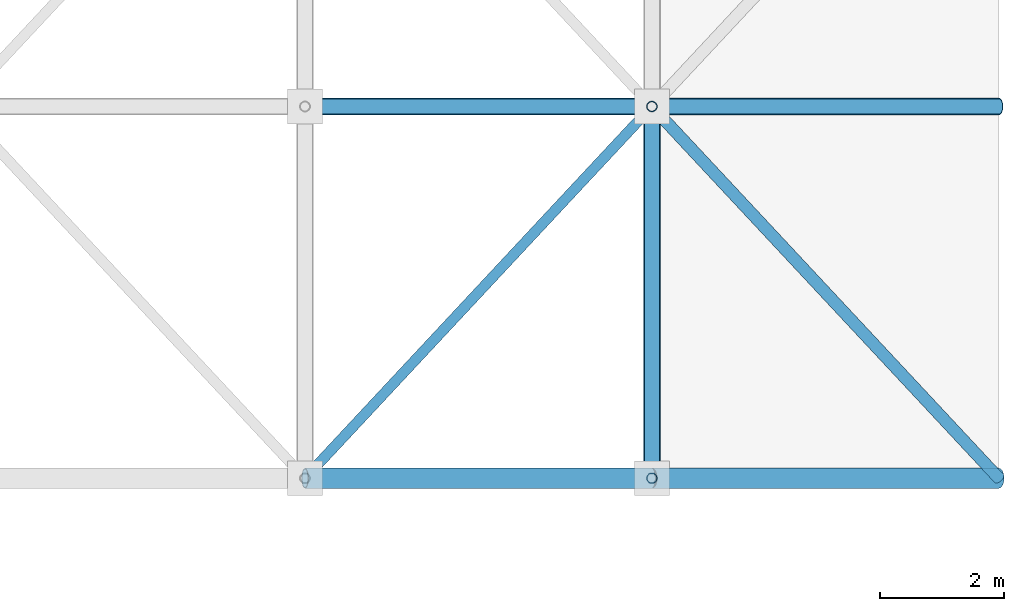
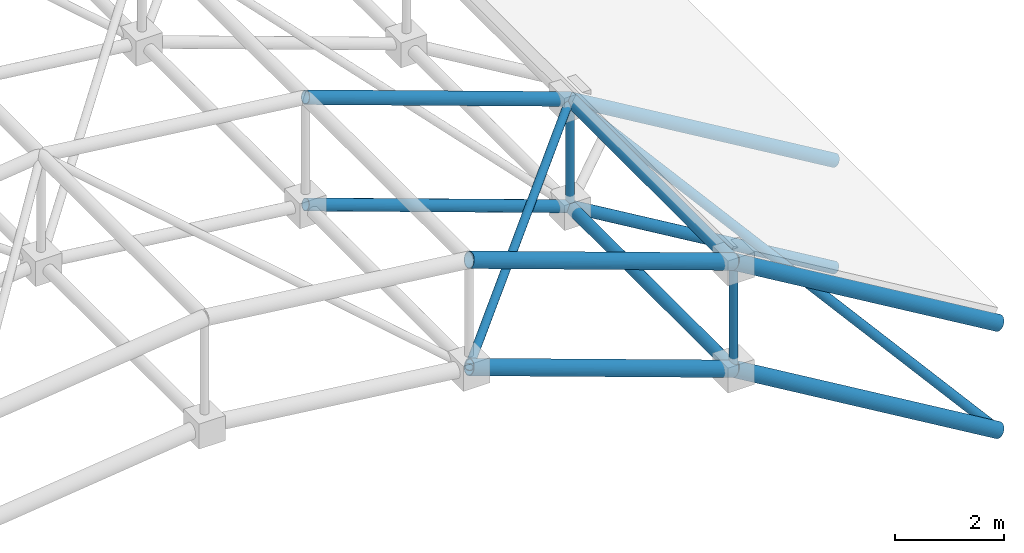
# One storey, part 86 of 140: 14 members.
"""IFC4 building model written with IfcOpenShell, lengths in metres."""

import ifcopenshell
import ifcopenshell.guid

model = None  # the IFC model being written
_history = None  # IfcOwnerHistory: only IFC2X3 demands one
_inside = {}  # id of a spatial element -> (the spatial element, [elements in it])
_under = {}  # id of a project, library or spatial element -> (it, [spatial elements below it])
_declared = {}  # id of a project -> (the project, [libraries it declares])
_typed = {}  # id of a type object -> (the type object, [elements of that type])
_made_of = {}  # id of a material, layer set ... -> (it, [elements and type objects made of it])


def new_model(schema):
    """Start an empty IFC model of exactly this schema.

    Asked for "IFC4X3", IfcOpenShell would pick the latest addendum, in which some entities
    have other attributes; the version numbers below select the first issue.
    IFC2X3 requires an IfcOwnerHistory on every rooted entity: one is made here for all.
    """
    global model, _history
    if schema == "IFC4X3":
        model = ifcopenshell.file(schema_version=(4, 3, 0, 0))
    else:
        model = ifcopenshell.file(schema=schema)
    _inside.clear()
    _under.clear()
    _declared.clear()
    _typed.clear()
    _made_of.clear()
    _history = None
    if model.schema == "IFC2X3":
        org = make("IfcOrganization", Name="unknown")
        user = make(
            "IfcPersonAndOrganization",
            ThePerson=make("IfcPerson", FamilyName="unknown"),
            TheOrganization=org,
        )
        app = make(
            "IfcApplication",
            ApplicationDeveloper=org,
            Version="unknown",
            ApplicationFullName="unknown",
            ApplicationIdentifier="unknown",
        )
        _history = make(
            "IfcOwnerHistory",
            OwningUser=user,
            OwningApplication=app,
            ChangeAction="ADDED",
            CreationDate=0,
        )
    return model


def make(cls, **values):
    """One entity of the class cls with the attributes given. An attribute that is None is left unset."""
    return model.create_entity(
        cls, **{name: value for name, value in values.items() if value is not None}
    )


def rooted(cls, **values):
    """An entity with a GlobalId (a new one), such as an element, a storey or a relation."""
    return make(cls, GlobalId=ifcopenshell.guid.new(), OwnerHistory=_history, **values)


def si_unit(unit_type, name, prefix=None):
    """IfcSIUnit, for example si_unit("LENGTHUNIT", "METRE", prefix="MILLI")."""
    return make("IfcSIUnit", UnitType=unit_type, Prefix=prefix, Name=name)


def assignment(units):
    """IfcUnitAssignment: the units of a project."""
    return None if units is None else make("IfcUnitAssignment", Units=units)


def point(xyz):
    """IfcCartesianPoint."""
    return None if xyz is None else make("IfcCartesianPoint", Coordinates=xyz)


def direction(xyz):
    """IfcDirection."""
    return None if xyz is None else make("IfcDirection", DirectionRatios=xyz)


def frame(location, z_axis=None, x_axis=None):
    """IfcAxis2Placement3D, a coordinate frame: its origin and axes. An axis left out is left unset."""
    return make(
        "IfcAxis2Placement3D",
        Location=point(location),
        Axis=direction(z_axis),
        RefDirection=direction(x_axis),
    )


def frame_2d(location, x_axis=None):
    """IfcAxis2Placement2D, a coordinate frame in the plane: its origin and x axis."""
    return make(
        "IfcAxis2Placement2D", Location=point(location), RefDirection=direction(x_axis)
    )


def origin():
    """The frame at (0, 0, 0) with its axes left unset."""
    return frame((0.0, 0.0, 0.0))


def origin_2d():
    """The frame at (0, 0) in the plane with its x axis left unset."""
    return frame_2d((0.0, 0.0))


def place(relative_to, where):
    """IfcLocalPlacement: puts the frame where relative to a parent placement (None: the world)."""
    return make(
        "IfcLocalPlacement", PlacementRelTo=relative_to, RelativePlacement=where
    )


def context(
    kind, dimensions, precision=None, world=None, true_north=None, identifier=None
):
    """IfcGeometricRepresentationContext, for example the 3D "Model" context."""
    return make(
        "IfcGeometricRepresentationContext",
        ContextIdentifier=identifier,
        ContextType=kind,
        CoordinateSpaceDimension=dimensions,
        Precision=precision,
        WorldCoordinateSystem=world,
        TrueNorth=true_north,
    )


def subcontext(parent, identifier, kind, view, scale=None):
    """IfcGeometricRepresentationSubContext, for example "Body" below "Model"."""
    return make(
        "IfcGeometricRepresentationSubContext",
        ContextIdentifier=identifier,
        ContextType=kind,
        ParentContext=parent,
        TargetScale=scale,
        TargetView=view,
    )


def project(units=None, contexts=None):
    """IfcProject with its units and contexts."""
    return rooted(
        "IfcProject",
        Name="project",
        RepresentationContexts=contexts,
        UnitsInContext=assignment(units),
    )


def spatial(cls, under=None, at=None, **own):
    """A site, building, storey or space (cls), placed at a placement, below another one or the project."""
    s = rooted(cls, ObjectPlacement=at, **own)
    if under is not None:
        _under.setdefault(under.id(), (under, []))[1].append(s)
    return s


def profile(cls, at=None, kind="AREA", **sizes):
    """A parametric profile (cls). Its sizes go by their IFC names, for example OverallWidth=200.0."""
    return make(cls, ProfileType=kind, Position=at, **sizes)


def hollow_circle(**sizes):
    """IfcCircleHollowProfileDef."""
    return profile("IfcCircleHollowProfileDef", **sizes)


def extrude(swept, where, along, depth):
    """IfcExtrudedAreaSolid: the profile swept, set in the frame where, extruded along a direction by depth."""
    return make(
        "IfcExtrudedAreaSolid",
        SweptArea=swept,
        Position=where,
        ExtrudedDirection=direction(along),
        Depth=depth,
    )


def shape(context_of_items, identifier, shape_type, items):
    """IfcShapeRepresentation: the items that make up one representation, for example the "Body"."""
    return make(
        "IfcShapeRepresentation",
        ContextOfItems=context_of_items,
        RepresentationIdentifier=identifier,
        RepresentationType=shape_type,
        Items=items,
    )


def material(Name=None, Category=None):
    """IfcMaterial."""
    return make("IfcMaterial", Name=Name, Category=Category)


def material_profile(
    of_material, cross_section, Name=None, Category=None, Priority=None
):
    """IfcMaterialProfile: a cross section and its material."""
    return make(
        "IfcMaterialProfile",
        Name=Name,
        Material=of_material,
        Profile=cross_section,
        Priority=Priority,
        Category=Category,
    )


def profile_set(profiles, Name=None, composite=None):
    """IfcMaterialProfileSet."""
    return make(
        "IfcMaterialProfileSet",
        Name=Name,
        MaterialProfiles=profiles,
        CompositeProfile=composite,
    )


def made_of(thing, what):
    """Note that an element or type object is made of a material, layer set ...; save() writes the relation."""
    if what is not None:
        _made_of.setdefault(what.id(), (what, []))[1].append(thing)
    return thing


def type_object(cls, material=None, **own):
    """A type object (cls), such as IfcWallType, which elements share."""
    return made_of(rooted(cls, **own), material)


def element(
    cls,
    number,
    at=None,
    inside=None,
    cuts=None,
    type_object=None,
    material=None,
    context=None,
    identifier="Body",
    shape_type=None,
    held_by="IfcProductDefinitionShape",
    body=None,
    shapes=None,
    **own,
):
    """One element of the class cls, such as IfcWall. Its Tag is "e" and its number.

    at: its placement. inside: the storey or other place that contains it. cuts: it is an
    opening in that element (IfcRelVoidsElement). A single representation is given by context,
    identifier, shape_type and body (its items); several are given by shapes. held_by: the class
    of the entity that holds the representations. save() writes the other relations.
    """
    e = rooted(cls, Tag="e%d" % number, ObjectPlacement=at, **own)
    if body is not None:
        shapes = [shape(context, identifier, shape_type, body)]
    if shapes is not None:
        e.Representation = make(held_by, Representations=shapes)
    if inside is not None:
        _inside.setdefault(inside.id(), (inside, []))[1].append(e)
    if cuts is not None:
        rooted(
            "IfcRelVoidsElement", RelatingBuildingElement=cuts, RelatedOpeningElement=e
        )
    if type_object is not None:
        _typed.setdefault(type_object.id(), (type_object, []))[1].append(e)
    return made_of(e, material)


def aggregate(whole, parts):
    """IfcRelAggregates: a whole, such as a stair, and the parts it consists of."""
    return rooted("IfcRelAggregates", RelatingObject=whole, RelatedObjects=parts)


def save(model, path):
    """Write the relations noted so far, then the file.

    IfcRelAggregates (storeys below a building ...), IfcRelContainedInSpatialStructure (elements
    in a storey), IfcRelDefinesByType, IfcRelAssociatesMaterial and IfcRelDeclares: one each for
    every whole, place, type object, material and project.
    """
    for whole, parts in _under.values():
        aggregate(whole, parts)
    for where, things in _inside.values():
        rooted(
            "IfcRelContainedInSpatialStructure",
            RelatedElements=things,
            RelatingStructure=where,
        )
    for kind, things in _typed.values():
        rooted("IfcRelDefinesByType", RelatedObjects=things, RelatingType=kind)
    for what, things in _made_of.values():
        rooted("IfcRelAssociatesMaterial", RelatedObjects=things, RelatingMaterial=what)
    for by, libraries in _declared.values():
        rooted("IfcRelDeclares", RelatingContext=by, RelatedDefinitions=libraries)
    model.write(path)


model = new_model("IFC4")

# Units and contexts
model_context = context("Model", 3, precision=1e-05, world=origin(), true_north=direction((0.0, 1.0)))
body_context = subcontext(model_context, "Body", "Model", "MODEL_VIEW")
ifc_project = project(units=[si_unit("LENGTHUNIT", "METRE"), si_unit("AREAUNIT", "SQUARE_METRE"), si_unit("VOLUMEUNIT", "CUBIC_METRE"), si_unit("PLANEANGLEUNIT", "RADIAN"), si_unit("MASSUNIT", "GRAM", prefix="KILO")], contexts=[model_context])

# Site, building, storey
site_placement = place(None, origin())
site = spatial("IfcSite", under=ifc_project, at=site_placement, CompositionType="ELEMENT")
building_placement = place(site_placement, origin())
building = spatial("IfcBuilding", under=site, at=building_placement, Name="Trelvath General Hospital", CompositionType="ELEMENT")
storey_placement = place(building_placement, frame((0.0, 0.0, 16.199951171875)))
storey = spatial("IfcBuildingStorey", under=building, at=storey_placement, Name="L04", CompositionType="ELEMENT", Elevation=16.199951171875)

# Members
ifc_material_1 = material(Name="Steel S355", Category="steel")
ifc_material_profile_1 = material_profile(ifc_material_1, hollow_circle(Radius=0.122314453125, WallThickness=0.010009765625, at=origin_2d()), Name="CHS244.5x10.0")
ifc_profile_set_1 = profile_set([ifc_material_profile_1], Name="Steel S355")
member_type_1 = type_object("IfcMemberType", Name="SpaceFrameBottomChord CHS244", PredefinedType="CHORD", material=ifc_profile_set_1)
member_1_placement = place(storey_placement, frame((165.199951171875, 31.199951171875, 2.033447265625), z_axis=(0.94174376932, 0.0, -0.336331195321), x_axis=(0.0, 1.0, 0.0)))
element("IfcMember", 1, at=member_1_placement, inside=storey, type_object=member_type_1, Name="Space Frame Bottom Chord X 5-2", PredefinedType="CHORD", context=body_context, shape_type="SweptSolid", body=[
    extrude(hollow_circle(Radius=0.122314453125, WallThickness=0.010009765625, at=origin_2d()), origin(), (0.0, 0.0, 1.0), 5.946533203125),
])
member_2_placement = place(storey_placement, frame((170.800048828125, 25.199951171875, 0.033447265625), z_axis=(0.0, 1.0, 0.0), x_axis=(-1.0, 0.0, 0.0)))
element("IfcMember", 2, at=member_2_placement, inside=storey, type_object=member_type_1, Name="Space Frame Bottom Chord Y 6-1", PredefinedType="CHORD", context=body_context, shape_type="SweptSolid", body=[
    extrude(hollow_circle(Radius=0.122314453125, WallThickness=0.010009765625, at=origin_2d()), origin(), (0.0, 0.0, 1.0), 6.0),
])
member_3_placement = place(storey_placement, frame((170.800048828125, 31.199951171875, 0.033447265625), z_axis=(0.859276026628, 0.0, -0.511512179779), x_axis=(0.0, 1.0, 0.0)))
element("IfcMember", 3, at=member_3_placement, inside=storey, type_object=member_type_1, Name="Space Frame Bottom Chord X 6-2", PredefinedType="CHORD", context=body_context, shape_type="SweptSolid", body=[
    extrude(hollow_circle(Radius=0.122314453125, WallThickness=0.010009765625, at=origin_2d()), origin(), (0.0, 0.0, 1.0), 6.516845703125),
])
ifc_material_2 = material(Name="Steel S355", Category="steel")
ifc_material_profile_2 = material_profile(ifc_material_2, hollow_circle(Radius=0.096923828125, WallThickness=0.008056640625, at=origin_2d()), Name="CHS193.7x8.0")
ifc_profile_set_2 = profile_set([ifc_material_profile_2], Name="Steel S355")
member_type_2 = type_object("IfcMemberType", Name="SpaceFrameDiagHeavy CHS193", PredefinedType="BRACE", material=ifc_profile_set_2)
member_4_placement = place(storey_placement, frame((176.39990234375, 25.199951171875, -3.300048828125), z_axis=(-0.559341871551, 0.599310539095, 0.572681018071), x_axis=(-0.731064171106, -0.682308711453, 0.0)))
element("IfcMember", 4, at=member_4_placement, inside=storey, type_object=member_type_2, Name="Space Frame Web Diagonal B 6-1", PredefinedType="BRACE", context=body_context, shape_type="SweptSolid", body=[
    extrude(hollow_circle(Radius=0.096923828125, WallThickness=0.008056640625, at=origin_2d()), origin(), (0.0, 0.0, 1.0), 10.011474609375),
])
ifc_material_3 = material(Name="Steel S355", Category="steel")
ifc_material_profile_3 = material_profile(ifc_material_3, hollow_circle(Radius=0.084228515625, WallThickness=0.008056640625, at=origin_2d()), Name="CHS168.3x8.0")
ifc_profile_set_3 = profile_set([ifc_material_profile_3], Name="Steel S355")
member_type_3 = type_object("IfcMemberType", Name="SpaceFrameDiagStd CHS168", PredefinedType="BRACE", material=ifc_profile_set_3)
member_5_placement = place(storey_placement, frame((165.199951171875, 25.199951171875, 2.033447265625), z_axis=(0.681516095791, 0.730183083536, 0.048666987745), x_axis=(-0.731049333052, 0.682324609438, 0.0)))
element("IfcMember", 5, at=member_5_placement, inside=storey, type_object=member_type_3, Name="Space Frame Web Diagonal A 5-1", PredefinedType="BRACE", context=body_context, shape_type="SweptSolid", body=[
    extrude(hollow_circle(Radius=0.084228515625, WallThickness=0.008056640625, at=origin_2d()), origin(), (0.0, 0.0, 1.0), 8.217041015625),
])
for number, where, z_axis, x_axis, name in (
    (6, (170.800048828125, 25.199951171875, 0.033447265625), (0.0, 0.0, 1.0), (1.0, 0.0, 0.0), "Space Frame Web Post 6-1"),
    (7, (170.800048828125, 31.199951171875, 0.033447265625), (0.0, 0.0, 1.0), (1.0, 0.0, 0.0), "Space Frame Web Post 6-2"),
):
    element("IfcMember", number, at=place(storey_placement, frame(where, z_axis=z_axis, x_axis=x_axis)), inside=storey, type_object=member_type_3, Name=name, PredefinedType="BRACE", context=body_context, shape_type="SweptSolid", body=[
        extrude(hollow_circle(Radius=0.084228515625, WallThickness=0.008056640625, at=origin_2d()), origin(), (0.0, 0.0, 1.0), 2.39990234375),
    ])
ifc_material_4 = material(Name="Steel S355", Category="steel")
ifc_material_profile_4 = material_profile(ifc_material_4, hollow_circle(Radius=0.161865234375, WallThickness=0.012451171875, at=origin_2d()), Name="CHS323.9x12.5")
ifc_profile_set_4 = profile_set([ifc_material_profile_4], Name="Steel S355")
member_type_4 = type_object("IfcMemberType", Name="SpaceFrameEdgeChord CHS323", PredefinedType="CHORD", material=ifc_profile_set_4)
for number, where, z_axis, x_axis, name in (
    (8, (165.199951171875, 25.199951171875, 2.033447265625), (0.94174376932, 0.0, -0.336331195321), (0.0, 1.0, 0.0), "Space Frame Bottom Chord X 5-1"),
    (9, (165.199951171875, 25.199951171875, 4.433349609375), (0.94174376932, 0.0, -0.336331195321), (0.0, 1.0, 0.0), "Space Frame Top Chord X 5-1"),
):
    element("IfcMember", number, at=place(storey_placement, frame(where, z_axis=z_axis, x_axis=x_axis)), inside=storey, type_object=member_type_4, Name=name, PredefinedType="CHORD", context=body_context, shape_type="SweptSolid", body=[
        extrude(hollow_circle(Radius=0.161865234375, WallThickness=0.012451171875, at=origin_2d()), origin(), (0.0, 0.0, 1.0), 5.946533203125),
    ])
for number, where, z_axis, x_axis, name in (
    (10, (170.800048828125, 25.199951171875, 0.033447265625), (0.859276026628, 0.0, -0.511512179779), (0.0, 1.0, 0.0), "Space Frame Bottom Chord X 6-1"),
    (11, (170.800048828125, 25.199951171875, 2.433349609375), (0.859292492371, 0.0, -0.511484518392), (0.0, 1.0, 0.0), "Space Frame Top Chord X 6-1"),
):
    element("IfcMember", number, at=place(storey_placement, frame(where, z_axis=z_axis, x_axis=x_axis)), inside=storey, type_object=member_type_4, Name=name, PredefinedType="CHORD", context=body_context, shape_type="SweptSolid", body=[
        extrude(hollow_circle(Radius=0.161865234375, WallThickness=0.012451171875, at=origin_2d()), origin(), (0.0, 0.0, 1.0), 6.516845703125),
    ])
ifc_material_5 = material(Name="Steel S355", Category="steel")
ifc_material_profile_5 = material_profile(ifc_material_5, hollow_circle(Radius=0.136474609375, WallThickness=0.012451171875, at=origin_2d()), Name="CHS273.0x12.5")
ifc_profile_set_5 = profile_set([ifc_material_profile_5], Name="Steel S355")
member_type_5 = type_object("IfcMemberType", Name="SpaceFrameTopChord CHS273", PredefinedType="CHORD", material=ifc_profile_set_5)
member_6_placement = place(storey_placement, frame((165.199951171875, 31.199951171875, 4.433349609375), z_axis=(0.94174376932, 0.0, -0.336331195321), x_axis=(0.0, 1.0, 0.0)))
element("IfcMember", 12, at=member_6_placement, inside=storey, type_object=member_type_5, Name="Space Frame Top Chord X 5-2", PredefinedType="CHORD", context=body_context, shape_type="SweptSolid", body=[
    extrude(hollow_circle(Radius=0.136474609375, WallThickness=0.012451171875, at=origin_2d()), origin(), (0.0, 0.0, 1.0), 5.946533203125),
])
member_7_placement = place(storey_placement, frame((170.800048828125, 25.199951171875, 2.433349609375), z_axis=(0.0, 1.0, 0.0), x_axis=(-1.0, 0.0, 0.0)))
element("IfcMember", 13, at=member_7_placement, inside=storey, type_object=member_type_5, Name="Space Frame Top Chord Y 6-1", PredefinedType="CHORD", context=body_context, shape_type="SweptSolid", body=[
    extrude(hollow_circle(Radius=0.136474609375, WallThickness=0.012451171875, at=origin_2d()), origin(), (0.0, 0.0, 1.0), 6.0),
])
member_8_placement = place(storey_placement, frame((170.800048828125, 31.199951171875, 2.433349609375), z_axis=(0.859292492371, 0.0, -0.511484518392), x_axis=(0.0, 1.0, 0.0)))
element("IfcMember", 14, at=member_8_placement, inside=storey, type_object=member_type_5, Name="Space Frame Top Chord X 6-2", PredefinedType="CHORD", context=body_context, shape_type="SweptSolid", body=[
    extrude(hollow_circle(Radius=0.136474609375, WallThickness=0.012451171875, at=origin_2d()), origin(), (0.0, 0.0, 1.0), 6.516845703125),
])

save(model, "model.ifc")
